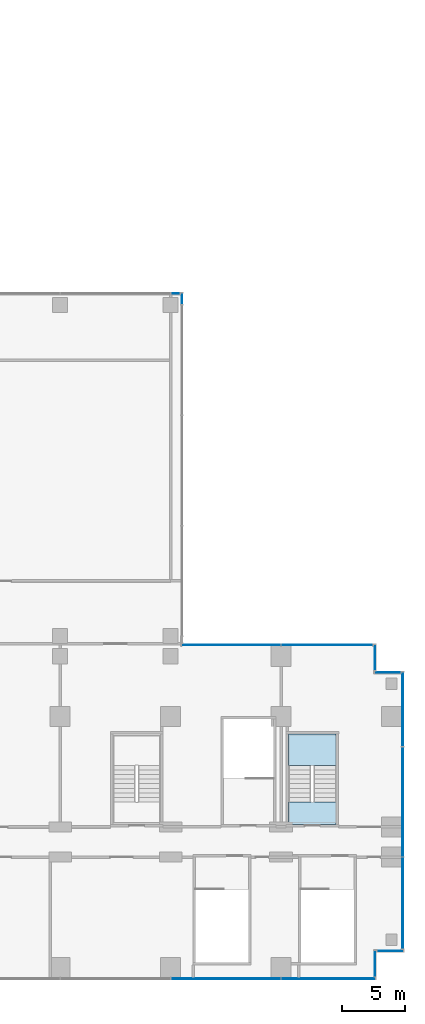
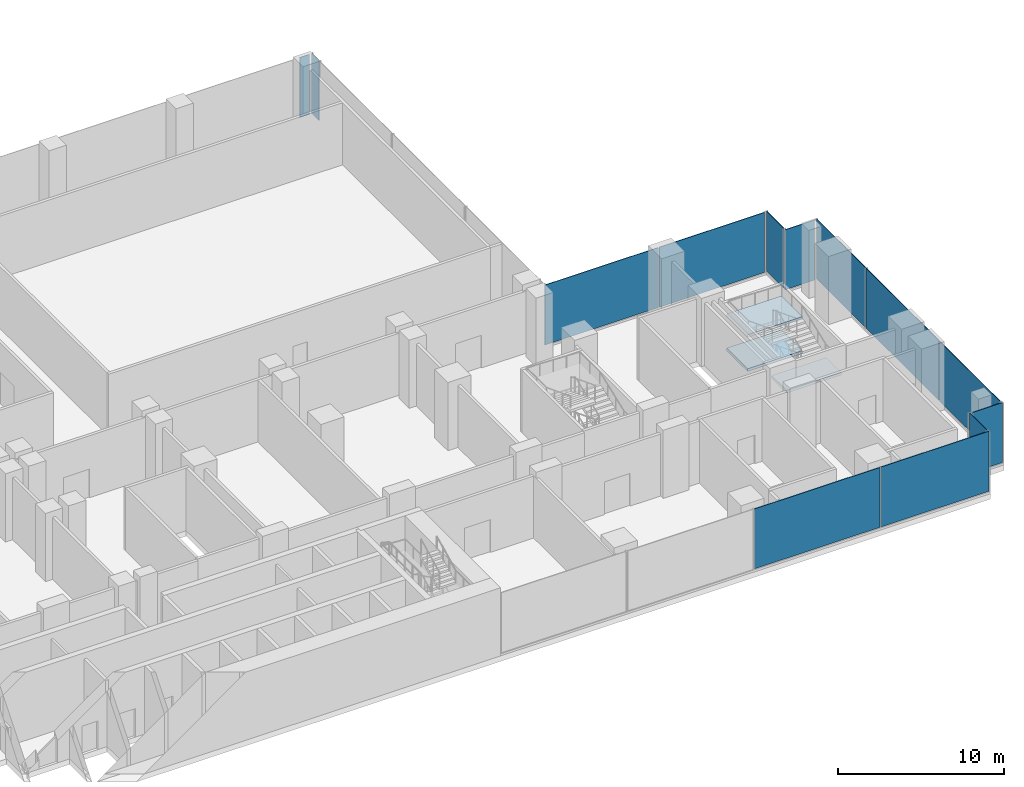
# One storey, part 16 of 27: 13 plates, 3 slabs, 10 elements without a shape of their own.
"""IFC4 building model written with IfcOpenShell, lengths in metres."""

from ifc_helpers import new_model, si_unit, direction, frame, origin, origin_2d, place, context, subcontext, project, spatial, polyline, rectangle, outline, extrude, source, transform, mapped, material, layer, layer_set, type_object, element, aggregate, save


model = new_model("IFC4")

# Units and contexts
model_context = context("Model", 3, precision=1e-05, world=origin(), true_north=direction((0.0, 1.0)))
body_context = subcontext(model_context, "Body", "Model", "MODEL_VIEW")
ifc_project = project(units=[si_unit("LENGTHUNIT", "METRE"), si_unit("AREAUNIT", "SQUARE_METRE"), si_unit("VOLUMEUNIT", "CUBIC_METRE"), si_unit("PLANEANGLEUNIT", "RADIAN"), si_unit("MASSUNIT", "GRAM", prefix="KILO")], contexts=[model_context])

# Site, building, storey
site_placement = place(None, origin())
site = spatial("IfcSite", under=ifc_project, at=site_placement, CompositionType="ELEMENT")
building_placement = place(site_placement, origin())
building = spatial("IfcBuilding", under=site, at=building_placement, Name="Kemantara Hotel Tower", CompositionType="ELEMENT")
storey_placement = place(building_placement, frame((0.0, 0.0, 29.0)))
storey = spatial("IfcBuildingStorey", under=building, at=storey_placement, Name="L05", CompositionType="ELEMENT", Elevation=29.0)

# Stair, slabs
ifc_material_1 = material(Name="Concrete fc 40 MPa", Category="concrete")
stair_type = type_object("IfcStairType", Name="Stair 1800 wide 36 risers of 139 x 360 mm", PredefinedType="HALF_TURN_STAIR", material=ifc_material_1)
stair_placement = place(storey_placement, origin())
stair = element("IfcStair", 1, at=stair_placement, inside=storey, type_object=stair_type, Name="L05 Exit stair ST5", PredefinedType="HALF_TURN_STAIR")
ifc_layer_1 = layer(ifc_material_1, 0.199951171875)
ifc_layer_set_1 = layer_set([ifc_layer_1], Name="Concrete fc 40 MPa")
slab_type = type_object("IfcSlabType", Name="Stair landing 200 mm", PredefinedType="LANDING", material=ifc_layer_set_1)
slab_1_placement = place(storey_placement, frame((0.0, 0.0, 1.050048828125)))
slab_1 = element("IfcSlab", 2, at=slab_1_placement, type_object=slab_type, Name="ST5 landing 1", PredefinedType="LANDING", context=body_context, shape_type="SweptSolid", body=[
    extrude(outline(polyline([(75.800048828125, 17.080078125), (75.800048828125, 19.60009765625), (72.0, 19.60009765625), (72.0, 17.080078125), (75.800048828125, 17.080078125)])), origin(), (0.0, 0.0, 1.0), 0.199951171875),
])
slab_2_placement = place(storey_placement, frame((0.0, 0.0, 2.300048828125)))
slab_2 = element("IfcSlab", 3, at=slab_2_placement, type_object=slab_type, Name="ST5 landing 2", PredefinedType="LANDING", context=body_context, shape_type="SweptSolid", body=[
    extrude(outline(polyline([(75.800048828125, 12.39990234375), (75.800048828125, 14.199951171875), (72.0, 14.199951171875), (72.0, 12.39990234375), (75.800048828125, 12.39990234375)])), origin(), (0.0, 0.0, 1.0), 0.199951171875),
])
slab_3_placement = place(storey_placement, frame((0.0, 0.0, 3.550048828125)))
slab_3 = element("IfcSlab", 4, at=slab_3_placement, type_object=slab_type, Name="ST5 landing 3", PredefinedType="LANDING", context=body_context, shape_type="SweptSolid", body=[
    extrude(outline(polyline([(75.800048828125, 17.080078125), (75.800048828125, 19.60009765625), (72.0, 19.60009765625), (72.0, 17.080078125), (75.800048828125, 17.080078125)])), origin(), (0.0, 0.0, 1.0), 0.199951171875),
])
aggregate(stair, [slab_1, slab_2, slab_3])

# Curtain wall, plate
ifc_material_2 = material(Name="Laminated tinted insulated glass 44 mm", Category="glass")
curtain_wall_type = type_object("IfcCurtainWallType", Name="PODIUM GLASS CURTAIN WALL", PredefinedType="USERDEFINED", material=ifc_material_2)
curtain_wall_1_placement = place(storey_placement, origin())
curtain_wall_1 = element("IfcCurtainWall", 5, at=curtain_wall_1_placement, inside=storey, type_object=curtain_wall_type, Name="CW1 L05 POD-R01-2", ObjectType="PODIUM GLASS CURTAIN WALL", PredefinedType="USERDEFINED")
ifc_layer_2 = layer(ifc_material_2, 0.0439453125)
ifc_layer_set_2 = layer_set([ifc_layer_2], Name="Laminated tinted insulated glass 44 mm")
plate_type = type_object("IfcPlateType", Name="PODIUM GLASS CURTAIN WALL PANEL", PredefinedType="CURTAIN_PANEL", material=ifc_layer_set_2)
shared_shape_1 = source(origin(), body_context, "Body", "SweptSolid", [
    extrude(rectangle(XDim=8.72509765625, YDim=0.0439453125, at=origin_2d()), origin(), (0.0, 0.0, 1.0), 4.39990234375),
])
plate_1_placement = place(storey_placement, frame((67.0, 0.10009765625, 0.150146484375), z_axis=(0.0, 0.0, 1.0), x_axis=(1.0, 0.0, 0.0)))
plate_1 = element("IfcPlate", 6, at=plate_1_placement, type_object=plate_type, Name="CW1 glass panel POD-R01-2.3", PredefinedType="CURTAIN_PANEL", context=body_context, shape_type="MappedRepresentation", body=[
    mapped(shared_shape_1, transform((0.0, 0.0, 0.0))),
])

curtain_wall_2_placement = place(storey_placement, origin())
curtain_wall_2 = element("IfcCurtainWall", 7, at=curtain_wall_2_placement, inside=storey, type_object=curtain_wall_type, Name="CW1 L05 POD-R04-1", ObjectType="PODIUM GLASS CURTAIN WALL", PredefinedType="USERDEFINED")
plate_2_placement = place(storey_placement, frame((81.10009765625, 14.199951171875, 0.150146484375), z_axis=(0.0, 0.0, 1.0), x_axis=(0.0, 1.0, 0.0)))
plate_2 = element("IfcPlate", 8, at=plate_2_placement, type_object=plate_type, Name="CW1 glass panel POD-R04-1.2", PredefinedType="CURTAIN_PANEL", context=body_context, shape_type="MappedRepresentation", body=[
    mapped(shared_shape_1, transform((0.0, 0.0, 0.0))),
])

# Plate
shared_shape_2 = source(origin(), body_context, "Body", "SweptSolid", [
    extrude(rectangle(XDim=7.487548828125, YDim=0.0439453125, at=origin_2d()), origin(), (0.0, 0.0, 1.0), 4.39990234375),
])
plate_3_placement = place(storey_placement, frame((75.18115234375, 0.10009765625, 0.150146484375), z_axis=(0.0, 0.0, 1.0), x_axis=(1.0, 0.0, 0.0)))
plate_3 = element("IfcPlate", 9, at=plate_3_placement, type_object=plate_type, Name="CW1 glass panel POD-R01-2.4", PredefinedType="CURTAIN_PANEL", context=body_context, shape_type="MappedRepresentation", body=[
    mapped(shared_shape_2, transform((0.0, 0.0, 0.0))),
])

aggregate(curtain_wall_1, [plate_1, plate_3])

shared_shape_3 = source(origin(), body_context, "Body", "SweptSolid", [
    extrude(rectangle(XDim=7.28759765625, YDim=0.0439453125, at=origin_2d()), origin(), (0.0, 0.0, 1.0), 4.39990234375),
])
plate_4_placement = place(storey_placement, frame((81.10009765625, 6.11865234375, 0.150146484375), z_axis=(0.0, 0.0, 1.0), x_axis=(0.0, 1.0, 0.0)))
plate_4 = element("IfcPlate", 10, at=plate_4_placement, type_object=plate_type, Name="CW1 glass panel POD-R04-1.1", PredefinedType="CURTAIN_PANEL", context=body_context, shape_type="MappedRepresentation", body=[
    mapped(shared_shape_3, transform((0.0, 0.0, 0.0))),
])

# Curtain wall, plate
curtain_wall_3_placement = place(storey_placement, origin())
curtain_wall_3 = element("IfcCurtainWall", 11, at=curtain_wall_3_placement, inside=storey, type_object=curtain_wall_type, Name="CW1 L05 POD-R07-1", ObjectType="PODIUM GLASS CURTAIN WALL", PredefinedType="USERDEFINED")
plate_5_placement = place(storey_placement, frame((75.081298828125, 26.699951171875, 0.150146484375), z_axis=(0.0, 0.0, 1.0), x_axis=(-1.0, 0.0, 0.0)))
plate_5 = element("IfcPlate", 12, at=plate_5_placement, type_object=plate_type, Name="CW1 glass panel POD-R07-1.1", PredefinedType="CURTAIN_PANEL", context=body_context, shape_type="MappedRepresentation", body=[
    mapped(shared_shape_3, transform((0.0, 0.0, 0.0))),
])

# Plate
shared_shape_4 = source(origin(), body_context, "Body", "SweptSolid", [
    extrude(rectangle(XDim=5.887451171875, YDim=0.0439453125, at=origin_2d()), origin(), (0.0, 0.0, 1.0), 4.39990234375),
])
plate_6_placement = place(storey_placement, frame((81.10009765625, 21.581298828125, 0.150146484375), z_axis=(0.0, 0.0, 1.0), x_axis=(0.0, 1.0, 0.0)))
plate_6 = element("IfcPlate", 13, at=plate_6_placement, type_object=plate_type, Name="CW1 glass panel POD-R04-1.3", PredefinedType="CURTAIN_PANEL", context=body_context, shape_type="MappedRepresentation", body=[
    mapped(shared_shape_4, transform((0.0, 0.0, 0.0))),
])

aggregate(curtain_wall_2, [plate_4, plate_2, plate_6])

shared_shape_5 = source(origin(), body_context, "Body", "SweptSolid", [
    extrude(rectangle(XDim=7.887451171875, YDim=0.0439453125, at=origin_2d()), origin(), (0.0, 0.0, 1.0), 4.39990234375),
])
plate_7_placement = place(storey_placement, frame((67.418701171875, 26.699951171875, 0.150146484375), z_axis=(0.0, 0.0, 1.0), x_axis=(-1.0, 0.0, 0.0)))
plate_7 = element("IfcPlate", 14, at=plate_7_placement, type_object=plate_type, Name="CW1 glass panel POD-R07-1.2", PredefinedType="CURTAIN_PANEL", context=body_context, shape_type="MappedRepresentation", body=[
    mapped(shared_shape_5, transform((0.0, 0.0, 0.0))),
])

aggregate(curtain_wall_3, [plate_5, plate_7])

# Curtain wall, plate
curtain_wall_4_placement = place(storey_placement, origin())
curtain_wall_4 = element("IfcCurtainWall", 15, at=curtain_wall_4_placement, inside=storey, type_object=curtain_wall_type, Name="CW1 L05 POD-R08-1", ObjectType="PODIUM GLASS CURTAIN WALL", PredefinedType="USERDEFINED")
shared_shape_6 = source(origin(), body_context, "Body", "SweptSolid", [
    extrude(rectangle(XDim=0.887451171875, YDim=0.0439453125, at=origin_2d()), origin(), (0.0, 0.0, 1.0), 4.39990234375),
])
plate_8_placement = place(storey_placement, frame((63.5, 54.28125, 0.150146484375), z_axis=(0.0, 0.0, 1.0), x_axis=(0.0, 1.0, 0.0)))
plate_8 = element("IfcPlate", 16, at=plate_8_placement, type_object=plate_type, Name="CW1 glass panel POD-R08-1.5", PredefinedType="CURTAIN_PANEL", context=body_context, shape_type="MappedRepresentation", body=[
    mapped(shared_shape_6, transform((0.0, 0.0, 0.0))),
])
aggregate(curtain_wall_4, [plate_8])

curtain_wall_5_placement = place(storey_placement, origin())
curtain_wall_5 = element("IfcCurtainWall", 17, at=curtain_wall_5_placement, inside=storey, type_object=curtain_wall_type, Name="CW1 L05 POD-R09-1", ObjectType="PODIUM GLASS CURTAIN WALL", PredefinedType="USERDEFINED")
shared_shape_7 = source(origin(), body_context, "Body", "SweptSolid", [
    extrude(rectangle(XDim=0.6875, YDim=0.0439453125, at=origin_2d()), origin(), (0.0, 0.0, 1.0), 4.39990234375),
])
plate_9_placement = place(storey_placement, frame((62.981201171875, 54.699951171875, 0.150146484375), z_axis=(0.0, 0.0, 1.0), x_axis=(-1.0, 0.0, 0.0)))
plate_9 = element("IfcPlate", 18, at=plate_9_placement, type_object=plate_type, Name="CW1 glass panel POD-R09-1.1", PredefinedType="CURTAIN_PANEL", context=body_context, shape_type="MappedRepresentation", body=[
    mapped(shared_shape_7, transform((0.0, 0.0, 0.0))),
])
aggregate(curtain_wall_5, [plate_9])

curtain_wall_6_placement = place(storey_placement, origin())
curtain_wall_6 = element("IfcCurtainWall", 19, at=curtain_wall_6_placement, inside=storey, type_object=curtain_wall_type, Name="CW1 L05 POD-R02-1", ObjectType="PODIUM GLASS CURTAIN WALL", PredefinedType="USERDEFINED")
shared_shape_8 = source(origin(), body_context, "Body", "SweptSolid", [
    extrude(rectangle(XDim=2.050048828125, YDim=0.0439453125, at=origin_2d()), origin(), (0.0, 0.0, 1.0), 4.39990234375),
])
plate_10_placement = place(storey_placement, frame((78.89990234375, 1.300048828125, 0.150146484375), z_axis=(0.0, 0.0, 1.0), x_axis=(0.0, 1.0, 0.0)))
plate_10 = element("IfcPlate", 20, at=plate_10_placement, type_object=plate_type, Name="CW1 glass panel POD-R02-1.1", PredefinedType="CURTAIN_PANEL", context=body_context, shape_type="MappedRepresentation", body=[
    mapped(shared_shape_8, transform((0.0, 0.0, 0.0))),
])
aggregate(curtain_wall_6, [plate_10])

curtain_wall_7_placement = place(storey_placement, origin())
curtain_wall_7 = element("IfcCurtainWall", 21, at=curtain_wall_7_placement, inside=storey, type_object=curtain_wall_type, Name="CW1 L05 POD-R03-1", ObjectType="PODIUM GLASS CURTAIN WALL", PredefinedType="USERDEFINED")
plate_11_placement = place(storey_placement, frame((80.10009765625, 2.300048828125, 0.150146484375), z_axis=(0.0, 0.0, 1.0), x_axis=(1.0, 0.0, 0.0)))
plate_11 = element("IfcPlate", 22, at=plate_11_placement, type_object=plate_type, Name="CW1 glass panel POD-R03-1.1", PredefinedType="CURTAIN_PANEL", context=body_context, shape_type="MappedRepresentation", body=[
    mapped(shared_shape_8, transform((0.0, 0.0, 0.0))),
])
aggregate(curtain_wall_7, [plate_11])

curtain_wall_8_placement = place(storey_placement, origin())
curtain_wall_8 = element("IfcCurtainWall", 23, at=curtain_wall_8_placement, inside=storey, type_object=curtain_wall_type, Name="CW1 L05 POD-R05-1", ObjectType="PODIUM GLASS CURTAIN WALL", PredefinedType="USERDEFINED")
plate_12_placement = place(storey_placement, frame((79.89990234375, 24.5, 0.150146484375), z_axis=(0.0, 0.0, 1.0), x_axis=(-1.0, 0.0, 0.0)))
plate_12 = element("IfcPlate", 24, at=plate_12_placement, type_object=plate_type, Name="CW1 glass panel POD-R05-1.1", PredefinedType="CURTAIN_PANEL", context=body_context, shape_type="MappedRepresentation", body=[
    mapped(shared_shape_8, transform((0.0, 0.0, 0.0))),
])
aggregate(curtain_wall_8, [plate_12])

curtain_wall_9_placement = place(storey_placement, origin())
curtain_wall_9 = element("IfcCurtainWall", 25, at=curtain_wall_9_placement, inside=storey, type_object=curtain_wall_type, Name="CW1 L05 POD-R06-1", ObjectType="PODIUM GLASS CURTAIN WALL", PredefinedType="USERDEFINED")
plate_13_placement = place(storey_placement, frame((78.89990234375, 25.699951171875, 0.150146484375), z_axis=(0.0, 0.0, 1.0), x_axis=(0.0, 1.0, 0.0)))
plate_13 = element("IfcPlate", 26, at=plate_13_placement, type_object=plate_type, Name="CW1 glass panel POD-R06-1.1", PredefinedType="CURTAIN_PANEL", context=body_context, shape_type="MappedRepresentation", body=[
    mapped(shared_shape_8, transform((0.0, 0.0, 0.0))),
])
aggregate(curtain_wall_9, [plate_13])

save(model, "model.ifc")
